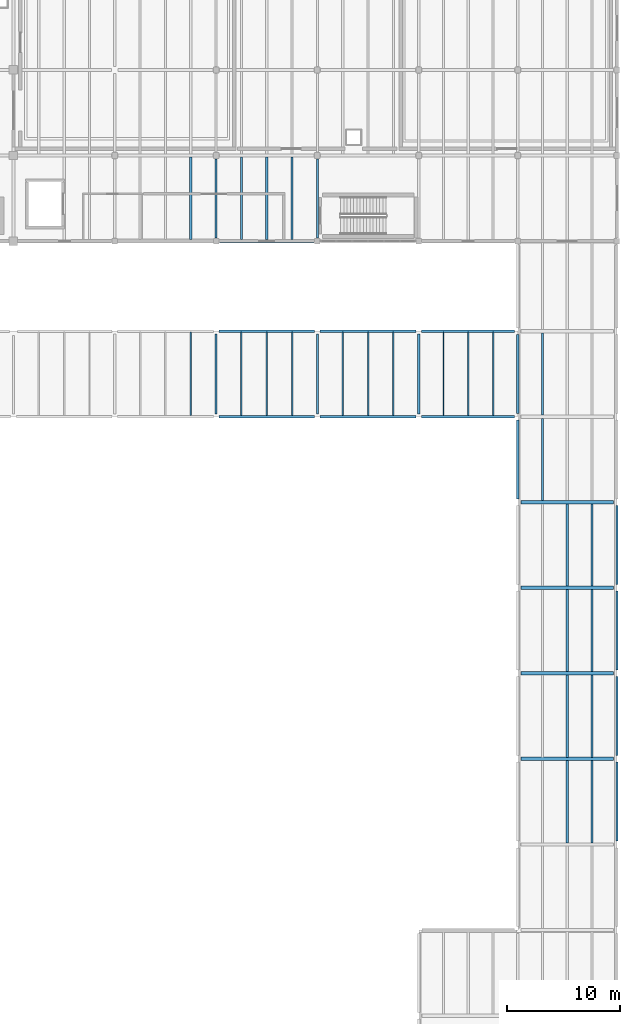
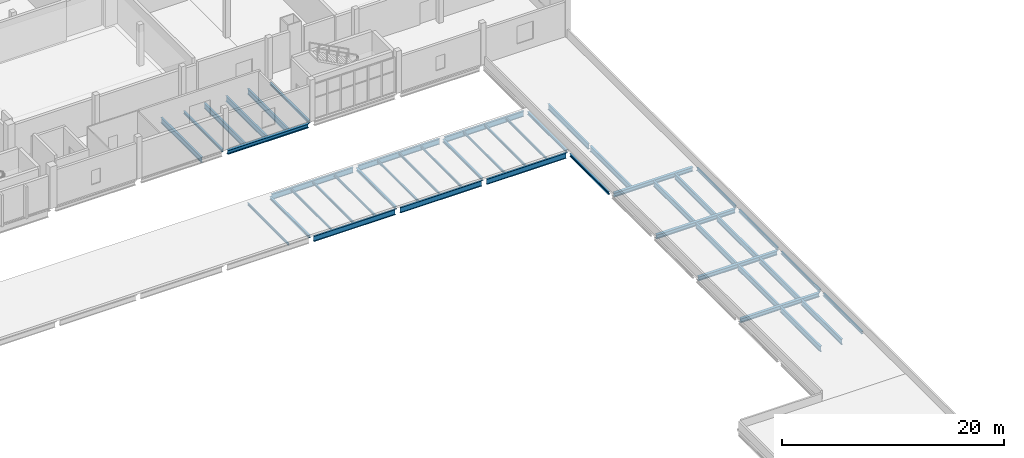
# One storey, part 41 of 74: 46 beams.
"""IFC4 building model written with IfcOpenShell, lengths in metres."""

from ifc_helpers import new_model, si_unit, direction, frame, origin, origin_2d, place, context, subcontext, project, spatial, i_section, extrude, material, material_profile, profile_set, type_object, element, save


model = new_model("IFC4")

# Units and contexts
model_context = context("Model", 3, precision=1e-05, world=origin(), true_north=direction((0.0, 1.0)))
body_context = subcontext(model_context, "Body", "Model", "MODEL_VIEW")
ifc_project = project(units=[si_unit("LENGTHUNIT", "METRE"), si_unit("AREAUNIT", "SQUARE_METRE"), si_unit("VOLUMEUNIT", "CUBIC_METRE"), si_unit("PLANEANGLEUNIT", "RADIAN"), si_unit("MASSUNIT", "GRAM", prefix="KILO")], contexts=[model_context])

# Site, building, storey
site_placement = place(None, origin())
site = spatial("IfcSite", under=ifc_project, at=site_placement, CompositionType="ELEMENT")
building_placement = place(site_placement, origin())
building = spatial("IfcBuilding", under=site, at=building_placement, Name="Shengluoqiao Park Theatre", CompositionType="ELEMENT")
storey_placement = place(building_placement, frame((0.0, 0.0, 14.60009765625)))
storey = spatial("IfcBuildingStorey", under=building, at=storey_placement, Name="L03", CompositionType="ELEMENT", Elevation=14.60009765625)

# Beams
ifc_material = material(Name="Steel Q355", Category="steel")
ifc_material_profile_1 = material_profile(ifc_material, i_section(OverallWidth=0.199951171875, OverallDepth=0.2939453125, WebThickness=0.008056640625, FlangeThickness=0.011962890625, FilletRadius=0.01611328125, at=origin_2d()), Name="HM 294x200x8x12")
ifc_profile_set_1 = profile_set([ifc_material_profile_1], Name="Steel Q355")
beam_type_1 = type_object("IfcBeamType", Name="STR-BM-G-HM294", PredefinedType="BEAM", material=ifc_profile_set_1)
for number, where, z_axis, x_axis, name in (
    (1, (130.39990234375, 84.2939453125, -0.38720703125), (0.0, 1.0, 0.0), (-1.0, 0.0, 0.0), "L03 Transverse Girder 01391"),
    (2, (139.39990234375, 84.2939453125, -0.38720703125), (0.0, 1.0, 0.0), (-1.0, 0.0, 0.0), "L03 Transverse Girder 01395"),
    (3, (157.199951171875, 61.093994140625, -0.397216796875), (0.0, 1.0, 0.0), (-1.0, 0.0, 0.0), "L03 Transverse Girder 01819"),
    (4, (157.199951171875, 68.694091796875, -0.397216796875), (0.0, 1.0, 0.0), (-1.0, 0.0, 0.0), "L03 Transverse Girder 01820"),
    (5, (166.0, 30.694091796875, -0.397216796875), (0.0, 1.0, 0.0), (-1.0, 0.0, 0.0), "L03 Transverse Girder 01823"),
    (6, (166.0, 38.2939453125, -0.397216796875), (0.0, 1.0, 0.0), (-1.0, 0.0, 0.0), "L03 Transverse Girder 01824"),
    (7, (166.0, 45.89404296875, -0.397216796875), (0.0, 1.0, 0.0), (-1.0, 0.0, 0.0), "L03 Transverse Girder 01825"),
):
    element("IfcBeam", number, at=place(storey_placement, frame(where, z_axis=z_axis, x_axis=x_axis)), inside=storey, type_object=beam_type_1, Name=name, PredefinedType="BEAM", context=body_context, shape_type="SweptSolid", body=[
        extrude(i_section(OverallWidth=0.199951171875, OverallDepth=0.2939453125, WebThickness=0.008056640625, FlangeThickness=0.011962890625, FilletRadius=0.01611328125, at=origin_2d()), origin(), (0.0, 0.0, 1.0), 7.011962890625),
    ])
beam_1_placement = place(storey_placement, frame((166.0, 53.493896484375, -0.397216796875), z_axis=(0.0, 1.0, 0.0), x_axis=(-1.0, 0.0, 0.0)))
element("IfcBeam", 8, at=beam_1_placement, inside=storey, type_object=beam_type_1, Name="L03 Transverse Girder 01826", PredefinedType="BEAM", context=body_context, shape_type="SweptSolid", body=[
    extrude(i_section(OverallWidth=0.199951171875, OverallDepth=0.2939453125, WebThickness=0.008056640625, FlangeThickness=0.011962890625, FilletRadius=0.01611328125, at=origin_2d()), origin(), (0.0, 0.0, 1.0), 7.01220703125),
])
for number, where, z_axis, x_axis, name in (
    (9, (130.39990234375, 68.64794921875, -0.377197265625), (0.0, 1.0, 0.0), (-1.0, 0.0, 0.0), "L03 Transverse Girder 01874"),
    (10, (139.39990234375, 68.64794921875, -0.377197265625), (0.0, 1.0, 0.0), (-1.0, 0.0, 0.0), "L03 Transverse Girder 01875"),
    (11, (148.39990234375, 68.64794921875, -0.377197265625), (0.0, 1.0, 0.0), (-1.0, 0.0, 0.0), "L03 Transverse Girder 01876"),
):
    element("IfcBeam", number, at=place(storey_placement, frame(where, z_axis=z_axis, x_axis=x_axis)), inside=storey, type_object=beam_type_1, Name=name, PredefinedType="BEAM", context=body_context, shape_type="SweptSolid", body=[
        extrude(i_section(OverallWidth=0.199951171875, OverallDepth=0.2939453125, WebThickness=0.008056640625, FlangeThickness=0.011962890625, FilletRadius=0.01611328125, at=origin_2d()), origin(), (0.0, 0.0, 1.0), 7.10400390625),
    ])
ifc_material_profile_2 = material_profile(ifc_material, i_section(OverallWidth=0.300048828125, OverallDepth=0.43994140625, WebThickness=0.010986328125, FlangeThickness=0.01806640625, FilletRadius=0.02001953125, at=origin_2d()), Name="HM 440x300x11x18")
ifc_profile_set_2 = profile_set([ifc_material_profile_2], Name="Steel Q355")
beam_type_2 = type_object("IfcBeamType", Name="STR-BM-G-HM440", PredefinedType="BEAM", material=ifc_profile_set_2)
beam_2_placement = place(storey_placement, frame((130.694091796875, 84.0, -0.460205078125), z_axis=(1.0, 0.0, 0.0), x_axis=(0.0, 1.0, 0.0)))
element("IfcBeam", 12, at=beam_2_placement, inside=storey, type_object=beam_type_2, Name="L03 Primary Girder 01374", PredefinedType="BEAM", context=body_context, shape_type="SweptSolid", body=[
    extrude(i_section(OverallWidth=0.300048828125, OverallDepth=0.43994140625, WebThickness=0.010986328125, FlangeThickness=0.01806640625, FilletRadius=0.02001953125, at=origin_2d()), origin(), (0.0, 0.0, 1.0), 8.411865234375),
])
for number, where, z_axis, x_axis, name in (
    (13, (157.493896484375, 38.0, -0.47021484375), (1.0, 0.0, 0.0), (0.0, 1.0, 0.0), "L03 Primary Girder 01808"),
    (14, (157.493896484375, 45.60009765625, -0.47021484375), (1.0, 0.0, 0.0), (0.0, 1.0, 0.0), "L03 Primary Girder 01809"),
    (15, (157.493896484375, 53.199951171875, -0.47021484375), (1.0, 0.0, 0.0), (0.0, 1.0, 0.0), "L03 Primary Girder 01810"),
    (16, (157.493896484375, 60.800048828125, -0.47021484375), (1.0, 0.0, 0.0), (0.0, 1.0, 0.0), "L03 Primary Girder 01811"),
):
    element("IfcBeam", number, at=place(storey_placement, frame(where, z_axis=z_axis, x_axis=x_axis)), inside=storey, type_object=beam_type_2, Name=name, PredefinedType="BEAM", context=body_context, shape_type="SweptSolid", body=[
        extrude(i_section(OverallWidth=0.300048828125, OverallDepth=0.43994140625, WebThickness=0.010986328125, FlangeThickness=0.01806640625, FilletRadius=0.02001953125, at=origin_2d()), origin(), (0.0, 0.0, 1.0), 8.212158203125),
    ])
ifc_material_profile_3 = material_profile(ifc_material, i_section(OverallWidth=0.125, OverallDepth=0.25, WebThickness=0.006103515625, FlangeThickness=0.009033203125, FilletRadius=0.010009765625, at=origin_2d()), Name="HN 250x125x6x9")
ifc_profile_set_3 = profile_set([ifc_material_profile_3], Name="Steel Q355")
beam_type_3 = type_object("IfcBeamType", Name="STR-BM-J-HN250", PredefinedType="JOIST", material=ifc_profile_set_3)
for number, where, z_axis, x_axis, name in (
    (17, (128.14990234375, 68.494384765625, -0.35498046875), (0.0, 1.0, 0.0), (-1.0, 0.0, 0.0), "L03 Composite Joist 01891"),
    (18, (132.64990234375, 68.494384765625, -0.35498046875), (0.0, 1.0, 0.0), (-1.0, 0.0, 0.0), "L03 Composite Joist 01892"),
    (19, (134.89990234375, 68.494384765625, -0.35498046875), (0.0, 1.0, 0.0), (-1.0, 0.0, 0.0), "L03 Composite Joist 01893"),
    (20, (137.14990234375, 68.494384765625, -0.35498046875), (0.0, 1.0, 0.0), (-1.0, 0.0, 0.0), "L03 Composite Joist 01894"),
    (21, (141.64990234375, 68.494384765625, -0.35498046875), (0.0, 1.0, 0.0), (-1.0, 0.0, 0.0), "L03 Composite Joist 01895"),
    (22, (143.89990234375, 68.494384765625, -0.35498046875), (0.0, 1.0, 0.0), (-1.0, 0.0, 0.0), "L03 Composite Joist 01896"),
    (23, (146.14990234375, 68.494384765625, -0.35498046875), (0.0, 1.0, 0.0), (-1.0, 0.0, 0.0), "L03 Composite Joist 01897"),
    (24, (150.60009765625, 68.494384765625, -0.35498046875), (0.0, 1.0, 0.0), (-1.0, 0.0, 0.0), "L03 Composite Joist 01898"),
    (25, (152.800048828125, 68.494384765625, -0.35498046875), (0.0, 1.0, 0.0), (-1.0, 0.0, 0.0), "L03 Composite Joist 01899"),
    (26, (155.0, 68.494384765625, -0.35498046875), (0.0, 1.0, 0.0), (-1.0, 0.0, 0.0), "L03 Composite Joist 01900"),
):
    element("IfcBeam", number, at=place(storey_placement, frame(where, z_axis=z_axis, x_axis=x_axis)), inside=storey, type_object=beam_type_3, Name=name, PredefinedType="JOIST", context=body_context, shape_type="SweptSolid", body=[
        extrude(i_section(OverallWidth=0.125, OverallDepth=0.25, WebThickness=0.006103515625, FlangeThickness=0.009033203125, FilletRadius=0.010009765625, at=origin_2d()), origin(), (0.0, 0.0, 1.0), 7.4111328125),
    ])
ifc_material_profile_4 = material_profile(ifc_material, i_section(OverallWidth=0.199951171875, OverallDepth=0.60009765625, WebThickness=0.010986328125, FlangeThickness=0.01708984375, FilletRadius=0.02001953125, at=origin_2d()), Name="HN 600x200x11x17")
ifc_profile_set_4 = profile_set([ifc_material_profile_4], Name="Steel Q355")
beam_type_4 = type_object("IfcBeamType", Name="STR-BM-J-HN600", PredefinedType="JOIST", material=ifc_profile_set_4)
for number, where, z_axis, x_axis, name in (
    (27, (128.14990234375, 84.14501953125, -0.5400390625), (0.0, 1.0, 0.0), (-1.0, 0.0, 0.0), "L03 Composite Joist 01411"),
    (28, (132.64990234375, 84.14501953125, -0.5400390625), (0.0, 1.0, 0.0), (-1.0, 0.0, 0.0), "L03 Composite Joist 01420"),
    (29, (134.89990234375, 84.14501953125, -0.5400390625), (0.0, 1.0, 0.0), (-1.0, 0.0, 0.0), "L03 Composite Joist 01421"),
    (30, (137.14990234375, 84.14501953125, -0.5400390625), (0.0, 1.0, 0.0), (-1.0, 0.0, 0.0), "L03 Composite Joist 01422"),
    (31, (161.60009765625, 30.544921875, -0.550048828125), (0.0, 1.0, 0.0), (-1.0, 0.0, 0.0), "L03 Composite Joist 01834"),
    (32, (163.800048828125, 30.544921875, -0.550048828125), (0.0, 1.0, 0.0), (-1.0, 0.0, 0.0), "L03 Composite Joist 01835"),
    (33, (161.60009765625, 38.14501953125, -0.550048828125), (0.0, 1.0, 0.0), (-1.0, 0.0, 0.0), "L03 Composite Joist 01837"),
    (34, (163.800048828125, 38.14501953125, -0.550048828125), (0.0, 1.0, 0.0), (-1.0, 0.0, 0.0), "L03 Composite Joist 01838"),
):
    element("IfcBeam", number, at=place(storey_placement, frame(where, z_axis=z_axis, x_axis=x_axis)), inside=storey, type_object=beam_type_4, Name=name, PredefinedType="JOIST", context=body_context, shape_type="SweptSolid", body=[
        extrude(i_section(OverallWidth=0.199951171875, OverallDepth=0.60009765625, WebThickness=0.010986328125, FlangeThickness=0.01708984375, FilletRadius=0.02001953125, at=origin_2d()), origin(), (0.0, 0.0, 1.0), 7.31005859375),
    ])
for number, where, z_axis, x_axis, name in (
    (35, (161.60009765625, 45.7451171875, -0.550048828125), (0.0, 1.0, 0.0), (-1.0, 0.0, 0.0), "L03 Composite Joist 01840"),
    (36, (163.800048828125, 45.7451171875, -0.550048828125), (0.0, 1.0, 0.0), (-1.0, 0.0, 0.0), "L03 Composite Joist 01841"),
):
    element("IfcBeam", number, at=place(storey_placement, frame(where, z_axis=z_axis, x_axis=x_axis)), inside=storey, type_object=beam_type_4, Name=name, PredefinedType="JOIST", context=body_context, shape_type="SweptSolid", body=[
        extrude(i_section(OverallWidth=0.199951171875, OverallDepth=0.60009765625, WebThickness=0.010986328125, FlangeThickness=0.01708984375, FilletRadius=0.02001953125, at=origin_2d()), origin(), (0.0, 0.0, 1.0), 7.309814453125),
    ])
for number, where, z_axis, x_axis, name in (
    (37, (161.60009765625, 53.344970703125, -0.550048828125), (0.0, 1.0, 0.0), (-1.0, 0.0, 0.0), "L03 Composite Joist 01843"),
    (38, (163.800048828125, 53.344970703125, -0.550048828125), (0.0, 1.0, 0.0), (-1.0, 0.0, 0.0), "L03 Composite Joist 01844"),
):
    element("IfcBeam", number, at=place(storey_placement, frame(where, z_axis=z_axis, x_axis=x_axis)), inside=storey, type_object=beam_type_4, Name=name, PredefinedType="JOIST", context=body_context, shape_type="SweptSolid", body=[
        extrude(i_section(OverallWidth=0.199951171875, OverallDepth=0.60009765625, WebThickness=0.010986328125, FlangeThickness=0.01708984375, FilletRadius=0.02001953125, at=origin_2d()), origin(), (0.0, 0.0, 1.0), 7.31005859375),
    ])
beam_3_placement = place(storey_placement, frame((159.39990234375, 60.945068359375, -0.550048828125), z_axis=(0.0, 1.0, 0.0), x_axis=(-1.0, 0.0, 0.0)))
element("IfcBeam", 39, at=beam_3_placement, inside=storey, type_object=beam_type_4, Name="L03 Composite Joist 01845", PredefinedType="JOIST", context=body_context, shape_type="SweptSolid", body=[
    extrude(i_section(OverallWidth=0.199951171875, OverallDepth=0.60009765625, WebThickness=0.010986328125, FlangeThickness=0.01708984375, FilletRadius=0.02001953125, at=origin_2d()), origin(), (0.0, 0.0, 1.0), 7.309814453125),
])
beam_4_placement = place(storey_placement, frame((159.39990234375, 68.544921875, -0.550048828125), z_axis=(0.0, 1.0, 0.0), x_axis=(-1.0, 0.0, 0.0)))
element("IfcBeam", 40, at=beam_4_placement, inside=storey, type_object=beam_type_4, Name="L03 Composite Joist 01848", PredefinedType="JOIST", context=body_context, shape_type="SweptSolid", body=[
    extrude(i_section(OverallWidth=0.199951171875, OverallDepth=0.60009765625, WebThickness=0.010986328125, FlangeThickness=0.01708984375, FilletRadius=0.02001953125, at=origin_2d()), origin(), (0.0, 0.0, 1.0), 7.31005859375),
])
ifc_material_profile_5 = material_profile(ifc_material, i_section(OverallWidth=0.198974609375, OverallDepth=0.595947265625, WebThickness=0.010009765625, FlangeThickness=0.014892578125, FilletRadius=0.02001953125, at=origin_2d()), Name="HN 596x199x10x15")
ifc_profile_set_5 = profile_set([ifc_material_profile_5], Name="Steel Q355")
beam_type_5 = type_object("IfcBeamType", Name="STR-BM-SP-HN596", PredefinedType="SPANDREL", material=ifc_profile_set_5)
for number, where, z_axis, x_axis, name in (
    (41, (130.64794921875, 68.39990234375, -0.528076171875), (1.0, 0.0, 0.0), (0.0, 1.0, 0.0), "L03 Primary Girder 01859"),
    (42, (139.64794921875, 68.39990234375, -0.528076171875), (1.0, 0.0, 0.0), (0.0, 1.0, 0.0), "L03 Primary Girder 01860"),
):
    element("IfcBeam", number, at=place(storey_placement, frame(where, z_axis=z_axis, x_axis=x_axis)), inside=storey, type_object=beam_type_5, Name=name, PredefinedType="SPANDREL", context=body_context, shape_type="SweptSolid", body=[
        extrude(i_section(OverallWidth=0.198974609375, OverallDepth=0.595947265625, WebThickness=0.010009765625, FlangeThickness=0.014892578125, FilletRadius=0.02001953125, at=origin_2d()), origin(), (0.0, 0.0, 1.0), 8.504150390625),
    ])
beam_5_placement = place(storey_placement, frame((148.64794921875, 68.39990234375, -0.548095703125), z_axis=(1.0, 0.0, 0.0), x_axis=(0.0, 1.0, 0.0)))
element("IfcBeam", 43, at=beam_5_placement, inside=storey, type_object=beam_type_5, Name="L03 Primary Girder 01861", PredefinedType="SPANDREL", context=body_context, shape_type="SweptSolid", body=[
    extrude(i_section(OverallWidth=0.198974609375, OverallDepth=0.595947265625, WebThickness=0.010009765625, FlangeThickness=0.014892578125, FilletRadius=0.02001953125, at=origin_2d()), origin(), (0.0, 0.0, 1.0), 8.258056640625),
])
for number, where, z_axis, x_axis, name in (
    (44, (130.64794921875, 76.0, -0.528076171875), (1.0, 0.0, 0.0), (0.0, 1.0, 0.0), "L03 Primary Girder 01867"),
    (45, (139.64794921875, 76.0, -0.528076171875), (1.0, 0.0, 0.0), (0.0, 1.0, 0.0), "L03 Primary Girder 01868"),
):
    element("IfcBeam", number, at=place(storey_placement, frame(where, z_axis=z_axis, x_axis=x_axis)), inside=storey, type_object=beam_type_5, Name=name, PredefinedType="SPANDREL", context=body_context, shape_type="SweptSolid", body=[
        extrude(i_section(OverallWidth=0.198974609375, OverallDepth=0.595947265625, WebThickness=0.010009765625, FlangeThickness=0.014892578125, FilletRadius=0.02001953125, at=origin_2d()), origin(), (0.0, 0.0, 1.0), 8.504150390625),
    ])
beam_6_placement = place(storey_placement, frame((148.64794921875, 76.0, -0.548095703125), z_axis=(1.0, 0.0, 0.0), x_axis=(0.0, 1.0, 0.0)))
element("IfcBeam", 46, at=beam_6_placement, inside=storey, type_object=beam_type_5, Name="L03 Primary Girder 01869", PredefinedType="SPANDREL", context=body_context, shape_type="SweptSolid", body=[
    extrude(i_section(OverallWidth=0.198974609375, OverallDepth=0.595947265625, WebThickness=0.010009765625, FlangeThickness=0.014892578125, FilletRadius=0.02001953125, at=origin_2d()), origin(), (0.0, 0.0, 1.0), 8.258056640625),
])

save(model, "model.ifc")
